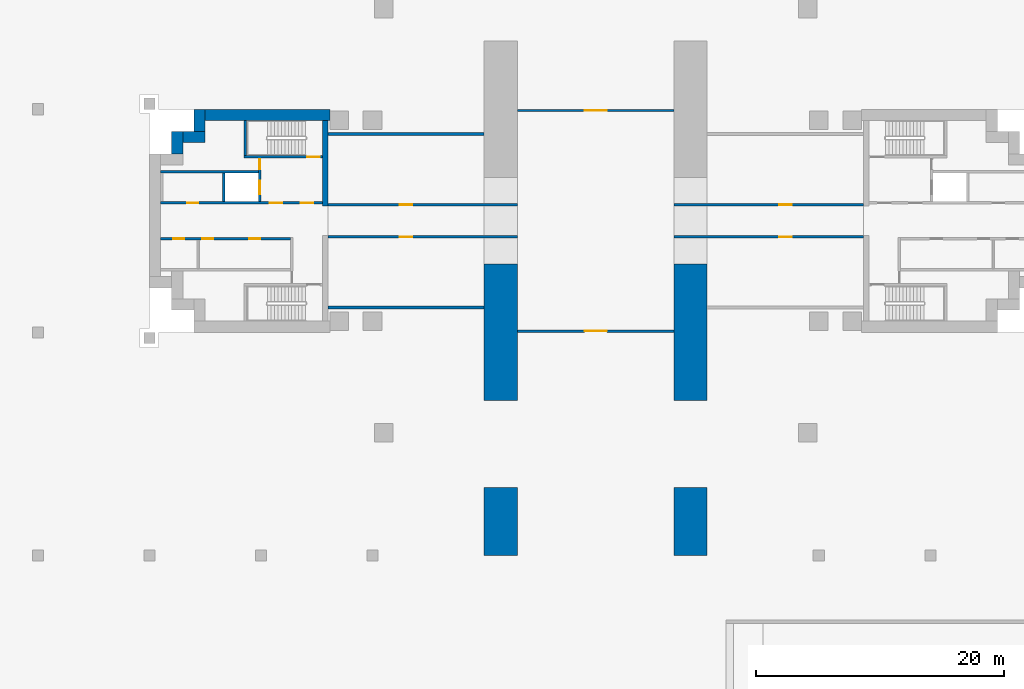
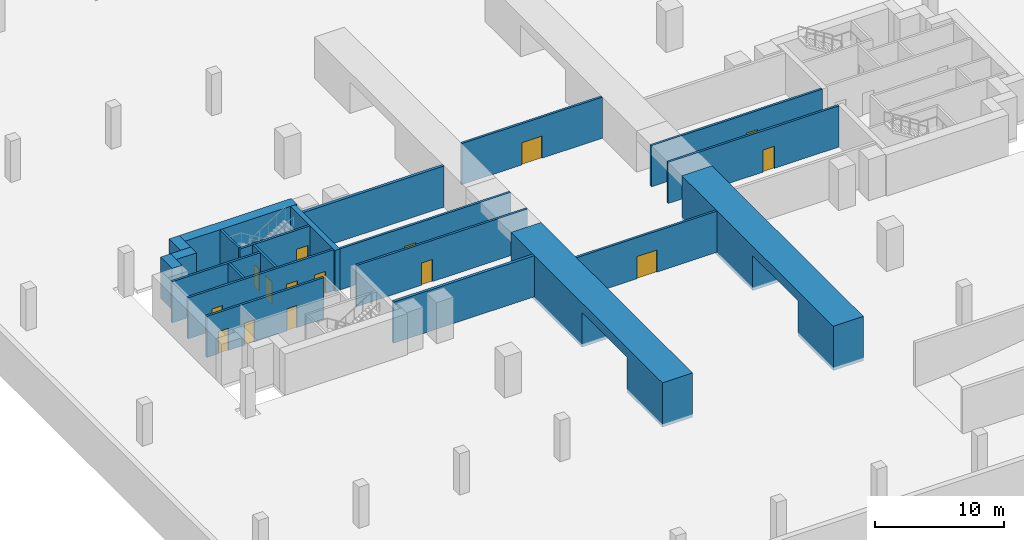
# One storey, part 4 of 8: 22 walls, 15 doors, 15 openings.
"""IFC4 building model written with IfcOpenShell, lengths in metres."""

from ifc_helpers import new_model, si_unit, direction, frame, frame_2d, origin, place, context, subcontext, project, spatial, polyline, rectangle, outline, extrude, material, layer, layer_set, material_profile, profile_set, type_object, element, fill, save


model = new_model("IFC4")

# Units and contexts
model_context = context("Model", 3, precision=1e-05, world=origin(), true_north=direction((0.0, 1.0)))
body_context = subcontext(model_context, "Body", "Model", "MODEL_VIEW")
ifc_project = project(units=[si_unit("LENGTHUNIT", "METRE"), si_unit("AREAUNIT", "SQUARE_METRE"), si_unit("VOLUMEUNIT", "CUBIC_METRE"), si_unit("PLANEANGLEUNIT", "RADIAN"), si_unit("MASSUNIT", "GRAM", prefix="KILO")], contexts=[model_context])

# Site, building, storey
site_placement = place(None, origin())
site = spatial("IfcSite", under=ifc_project, at=site_placement, CompositionType="ELEMENT")
building_placement = place(site_placement, origin())
building = spatial("IfcBuilding", under=site, at=building_placement, Name="Perihelion Cross Residences", CompositionType="ELEMENT")
storey_placement = place(building_placement, frame((0.0, 0.0, -12.89990234375)))
storey = spatial("IfcBuildingStorey", under=building, at=storey_placement, Name="B3", CompositionType="ELEMENT", Elevation=-12.89990234375)

# Walls
ifc_material_1 = material(Name="Concrete C40/50", Category="concrete")
ifc_layer_1 = layer(ifc_material_1, 0.25)
ifc_layer_set_1 = layer_set([ifc_layer_1], Name="Basement enclosure wall 250")
wall_type_1 = type_object("IfcWallType", Name="Basement enclosure wall 250", PredefinedType="SOLIDWALL", material=ifc_layer_set_1)
for number, where, z_axis, x_axis, name in (
    (1, (-9.0, 7.0, 0.0), (0.0, 0.0, 1.0), (-1.0, 0.0, 0.0), "Basement enclosure wall B3 w.encl.n"),
    (2, (-9.0, -7.0, 0.0), (0.0, 0.0, 1.0), (-1.0, 0.0, 0.0), "Basement enclosure wall B3 w.encl.s"),
):
    element("IfcWall", number, at=place(storey_placement, frame(where, z_axis=z_axis, x_axis=x_axis)), inside=storey, type_object=wall_type_1, Name=name, PredefinedType="SOLIDWALL", context=body_context, shape_type="SweptSolid", body=[
        extrude(rectangle(XDim=12.60009765625, YDim=0.25, at=frame_2d((6.300048828125, 0.0))), origin(), (0.0, 0.0, 1.0), 3.89990234375),
    ])
ifc_material_2 = material(Name="Concrete C60/75", Category="concrete")
ifc_layer_2 = layer(ifc_material_2, 0.449951171875)
ifc_layer_set_2 = layer_set([ifc_layer_2], Name="Core wall, inner 450")
wall_type_2 = type_object("IfcWallType", Name="Core wall, inner 450", PredefinedType="SHEAR", material=ifc_layer_set_2)
wall_1_placement = place(storey_placement, frame((-21.824951171875, 1.199951171875, 0.0), z_axis=(0.0, 0.0, 1.0), x_axis=(0.0, 1.0, 0.0)))
element("IfcWall", 3, at=wall_1_placement, inside=storey, type_object=wall_type_2, Name="West core core wall, inner", PredefinedType="SHEAR", context=body_context, shape_type="SweptSolid", body=[
    extrude(rectangle(XDim=6.900146484375, YDim=0.449951171875, at=frame_2d((3.4501953125, 0.0))), origin(), (0.0, 0.0, 1.0), 3.89990234375),
])
ifc_material_3 = material(Name="Concrete C60/75", Category="concrete")
ifc_layer_3 = layer(ifc_material_3, 0.89990234375)
ifc_layer_set_3 = layer_set([ifc_layer_3], Name="Core wall, outer 900")
wall_type_3 = type_object("IfcWallType", Name="Core wall, outer 900", PredefinedType="SHEAR", material=ifc_layer_set_3)
for number, where, z_axis, x_axis, name in (
    (4, (-33.75, 5.39990234375, 0.0), (0.0, 0.0, 1.0), (0.0, 1.0, 0.0), "West core core wall, outer"),
    (5, (-33.300048828125, 6.75, 0.0), (0.0, 0.0, 1.0), (1.0, 0.0, 0.0), "West core core wall, outer"),
    (6, (-31.949951171875, 7.199951171875, 0.0), (0.0, 0.0, 1.0), (0.0, 1.0, 0.0), "West core core wall, outer"),
):
    element("IfcWall", number, at=place(storey_placement, frame(where, z_axis=z_axis, x_axis=x_axis)), inside=storey, type_object=wall_type_3, Name=name, PredefinedType="SHEAR", context=body_context, shape_type="SweptSolid", body=[
        extrude(rectangle(XDim=1.800048828125, YDim=0.89990234375, at=frame_2d((0.89990234375, 0.0))), origin(), (0.0, 0.0, 1.0), 3.89990234375),
    ])
wall_2_placement = place(storey_placement, frame((-31.5, 8.550048828125, 0.0), z_axis=(0.0, 0.0, 1.0), x_axis=(1.0, 0.0, 0.0)))
element("IfcWall", 7, at=wall_2_placement, inside=storey, type_object=wall_type_3, Name="West core core wall, outer", PredefinedType="SHEAR", context=body_context, shape_type="SweptSolid", body=[
    extrude(rectangle(XDim=10.050048828125, YDim=0.89990234375, at=frame_2d((5.02490234375, 0.0))), origin(), (0.0, 0.0, 1.0), 3.89990234375),
])

# Wall, opening, door
ifc_material_4 = material(Name="Concrete block 200", Category="concrete")
ifc_layer_4 = layer(ifc_material_4, 0.199951171875)
ifc_layer_set_4 = layer_set([ifc_layer_4], Name="Parking lobby wall 200")
wall_type_4 = type_object("IfcWallType", Name="Parking lobby wall 200", PredefinedType="PARTITIONING", material=ifc_layer_set_4)
wall_3_placement = place(storey_placement, frame((6.300048828125, 1.300048828125, 0.0), z_axis=(0.0, 0.0, 1.0), x_axis=(1.0, 0.0, 0.0)))
wall_3 = element("IfcWall", 8, at=wall_3_placement, inside=storey, type_object=wall_type_4, Name="Basement partition B3 e.corr.n", PredefinedType="PARTITIONING", context=body_context, shape_type="SweptSolid", body=[
    extrude(rectangle(XDim=15.300048828125, YDim=0.199951171875, at=frame_2d((7.64990234375, 0.0))), origin(), (0.0, 0.0, 1.0), 3.89990234375),
])
opening_1_placement = place(wall_3_placement, frame((8.5, 0.0, 0.0)))
opening_1 = element("IfcOpeningElement", 9, at=opening_1_placement, cuts=wall_3, Name="Opening B3.B01", PredefinedType="OPENING", context=body_context, shape_type="SweptSolid", body=[
    extrude(rectangle(XDim=1.0, YDim=2.10009765625, at=frame_2d((0.5, 1.050048828125))), frame((0.0, 0.10986328125, 0.0), z_axis=(0.0, -1.0, 0.0), x_axis=(1.0, 0.0, 0.0)), (0.0, 0.0, 1.0), 0.219970703125),
])
ifc_material_5 = material(Name="Steel door", Category="steel")
door_type_1 = type_object("IfcDoorType", Name="Basement plant door 1000 x 2100", OperationType="SINGLE_SWING_LEFT", PredefinedType="DOOR", material=ifc_material_5)
door_1_placement = place(opening_1_placement, origin())
door_1 = element("IfcDoor", 10, at=door_1_placement, inside=storey, type_object=door_type_1, Name="Door B3 e.corr.n", OperationType="SINGLE_SWING_LEFT", OverallHeight=2.10009765625, OverallWidth=1.0, PredefinedType="DOOR", context=body_context, shape_type="SweptSolid", body=[
    extrude(rectangle(XDim=1.0, YDim=2.10009765625, at=frame_2d((0.5, 1.050048828125))), frame((0.0, 0.02490234375, 0.0), z_axis=(0.0, -1.0, 0.0), x_axis=(1.0, 0.0, 0.0)), (0.0, 0.0, 1.0), 0.050048828125),
])
fill(opening_1, door_1)

wall_4_placement = place(storey_placement, frame((6.300048828125, -1.300048828125, 0.0), z_axis=(0.0, 0.0, 1.0), x_axis=(1.0, 0.0, 0.0)))
wall_4 = element("IfcWall", 11, at=wall_4_placement, inside=storey, type_object=wall_type_4, Name="Basement partition B3 e.corr.s", PredefinedType="PARTITIONING", context=body_context, shape_type="SweptSolid", body=[
    extrude(rectangle(XDim=15.300048828125, YDim=0.199951171875, at=frame_2d((7.64990234375, 0.0))), origin(), (0.0, 0.0, 1.0), 3.89990234375),
])
opening_2_placement = place(wall_4_placement, frame((8.5, 0.0, 0.0)))
opening_2 = element("IfcOpeningElement", 12, at=opening_2_placement, cuts=wall_4, Name="Opening B3.B02", PredefinedType="OPENING", context=body_context, shape_type="SweptSolid", body=[
    extrude(rectangle(XDim=1.0, YDim=2.10009765625, at=frame_2d((0.5, 1.050048828125))), frame((0.0, 0.10986328125, 0.0), z_axis=(0.0, -1.0, 0.0), x_axis=(1.0, 0.0, 0.0)), (0.0, 0.0, 1.0), 0.219970703125),
])
door_2_placement = place(opening_2_placement, origin())
door_2 = element("IfcDoor", 13, at=door_2_placement, inside=storey, type_object=door_type_1, Name="Door B3 e.corr.s", OperationType="SINGLE_SWING_LEFT", OverallHeight=2.10009765625, OverallWidth=1.0, PredefinedType="DOOR", context=body_context, shape_type="SweptSolid", body=[
    extrude(rectangle(XDim=1.0, YDim=2.10009765625, at=frame_2d((0.5, 1.050048828125))), frame((0.0, 0.02490234375, 0.0), z_axis=(0.0, -1.0, 0.0), x_axis=(1.0, 0.0, 0.0)), (0.0, 0.0, 1.0), 0.050048828125),
])
fill(opening_2, door_2)

wall_5_placement = place(storey_placement, frame((-6.300048828125, 1.300048828125, 0.0), z_axis=(0.0, 0.0, 1.0), x_axis=(-1.0, 0.0, 0.0)))
wall_5 = element("IfcWall", 14, at=wall_5_placement, inside=storey, type_object=wall_type_4, Name="Basement partition B3 w.corr.n", PredefinedType="PARTITIONING", context=body_context, shape_type="SweptSolid", body=[
    extrude(rectangle(XDim=15.300048828125, YDim=0.199951171875, at=frame_2d((7.64990234375, 0.0))), origin(), (0.0, 0.0, 1.0), 3.89990234375),
])
opening_3_placement = place(wall_5_placement, frame((8.5, 0.0, 0.0)))
opening_3 = element("IfcOpeningElement", 15, at=opening_3_placement, cuts=wall_5, Name="Opening B3.B03", PredefinedType="OPENING", context=body_context, shape_type="SweptSolid", body=[
    extrude(rectangle(XDim=1.0, YDim=2.10009765625, at=frame_2d((0.5, 1.050048828125))), frame((0.0, 0.10986328125, 0.0), z_axis=(0.0, -1.0, 0.0), x_axis=(1.0, 0.0, 0.0)), (0.0, 0.0, 1.0), 0.219970703125),
])
door_3_placement = place(opening_3_placement, origin())
door_3 = element("IfcDoor", 16, at=door_3_placement, inside=storey, type_object=door_type_1, Name="Door B3 w.corr.n", OperationType="SINGLE_SWING_LEFT", OverallHeight=2.10009765625, OverallWidth=1.0, PredefinedType="DOOR", context=body_context, shape_type="SweptSolid", body=[
    extrude(rectangle(XDim=1.0, YDim=2.10009765625, at=frame_2d((0.5, 1.050048828125))), frame((0.0, 0.02490234375, 0.0), z_axis=(0.0, -1.0, 0.0), x_axis=(1.0, 0.0, 0.0)), (0.0, 0.0, 1.0), 0.050048828125),
])
fill(opening_3, door_3)

wall_6_placement = place(storey_placement, frame((-6.300048828125, -1.300048828125, 0.0), z_axis=(0.0, 0.0, 1.0), x_axis=(-1.0, 0.0, 0.0)))
wall_6 = element("IfcWall", 17, at=wall_6_placement, inside=storey, type_object=wall_type_4, Name="Basement partition B3 w.corr.s", PredefinedType="PARTITIONING", context=body_context, shape_type="SweptSolid", body=[
    extrude(rectangle(XDim=15.300048828125, YDim=0.199951171875, at=frame_2d((7.64990234375, 0.0))), origin(), (0.0, 0.0, 1.0), 3.89990234375),
])
opening_4_placement = place(wall_6_placement, frame((8.5, 0.0, 0.0)))
opening_4 = element("IfcOpeningElement", 18, at=opening_4_placement, cuts=wall_6, Name="Opening B3.B04", PredefinedType="OPENING", context=body_context, shape_type="SweptSolid", body=[
    extrude(rectangle(XDim=1.0, YDim=2.10009765625, at=frame_2d((0.5, 1.050048828125))), frame((0.0, 0.10986328125, 0.0), z_axis=(0.0, -1.0, 0.0), x_axis=(1.0, 0.0, 0.0)), (0.0, 0.0, 1.0), 0.219970703125),
])
door_4_placement = place(opening_4_placement, origin())
door_4 = element("IfcDoor", 19, at=door_4_placement, inside=storey, type_object=door_type_1, Name="Door B3 w.corr.s", OperationType="SINGLE_SWING_LEFT", OverallHeight=2.10009765625, OverallWidth=1.0, PredefinedType="DOOR", context=body_context, shape_type="SweptSolid", body=[
    extrude(rectangle(XDim=1.0, YDim=2.10009765625, at=frame_2d((0.5, 1.050048828125))), frame((0.0, 0.02490234375, 0.0), z_axis=(0.0, -1.0, 0.0), x_axis=(1.0, 0.0, 0.0)), (0.0, 0.0, 1.0), 0.050048828125),
])
fill(opening_4, door_4)

wall_7_placement = place(storey_placement, frame((-6.300048828125, 8.89990234375, 0.0), z_axis=(0.0, 0.0, 1.0), x_axis=(1.0, 0.0, 0.0)))
wall_7 = element("IfcWall", 20, at=wall_7_placement, inside=storey, type_object=wall_type_4, Name="Basement partition B3 hub.n", PredefinedType="PARTITIONING", context=body_context, shape_type="SweptSolid", body=[
    extrude(rectangle(XDim=12.60009765625, YDim=0.199951171875, at=frame_2d((6.300048828125, 0.0))), origin(), (0.0, 0.0, 1.0), 3.89990234375),
])
opening_5_placement = place(wall_7_placement, frame((5.39990234375, 0.0, 0.0)))
opening_5 = element("IfcOpeningElement", 21, at=opening_5_placement, cuts=wall_7, Name="Opening B3.B05", PredefinedType="OPENING", context=body_context, shape_type="SweptSolid", body=[
    extrude(rectangle(XDim=1.800048828125, YDim=2.10009765625, at=frame_2d((0.89990234375, 1.050048828125))), frame((0.0, 0.10986328125, 0.0), z_axis=(0.0, -1.0, 0.0), x_axis=(1.0, 0.0, 0.0)), (0.0, 0.0, 1.0), 0.219970703125),
])
ifc_material_6 = material(Name="Steel door", Category="steel")
door_type_2 = type_object("IfcDoorType", Name="Lobby door 1800 x 2100", OperationType="DOUBLE_DOOR_SINGLE_SWING", PredefinedType="DOOR", material=ifc_material_6)
door_5_placement = place(opening_5_placement, origin())
door_5 = element("IfcDoor", 22, at=door_5_placement, inside=storey, type_object=door_type_2, Name="Door B3 hub.n", OperationType="SINGLE_SWING_LEFT", OverallHeight=2.10009765625, OverallWidth=1.800048828125, PredefinedType="DOOR", context=body_context, shape_type="SweptSolid", body=[
    extrude(rectangle(XDim=1.800048828125, YDim=2.10009765625, at=frame_2d((0.89990234375, 1.050048828125))), frame((0.0, 0.02490234375, 0.0), z_axis=(0.0, -1.0, 0.0), x_axis=(1.0, 0.0, 0.0)), (0.0, 0.0, 1.0), 0.050048828125),
])
fill(opening_5, door_5)

wall_8_placement = place(storey_placement, frame((-6.300048828125, -8.89990234375, 0.0), z_axis=(0.0, 0.0, 1.0), x_axis=(1.0, 0.0, 0.0)))
wall_8 = element("IfcWall", 23, at=wall_8_placement, inside=storey, type_object=wall_type_4, Name="Basement partition B3 hub.s", PredefinedType="PARTITIONING", context=body_context, shape_type="SweptSolid", body=[
    extrude(rectangle(XDim=12.60009765625, YDim=0.199951171875, at=frame_2d((6.300048828125, 0.0))), origin(), (0.0, 0.0, 1.0), 3.89990234375),
])
opening_6_placement = place(wall_8_placement, frame((5.39990234375, 0.0, 0.0)))
opening_6 = element("IfcOpeningElement", 24, at=opening_6_placement, cuts=wall_8, Name="Opening B3.B06", PredefinedType="OPENING", context=body_context, shape_type="SweptSolid", body=[
    extrude(rectangle(XDim=1.800048828125, YDim=2.10009765625, at=frame_2d((0.89990234375, 1.050048828125))), frame((0.0, 0.10986328125, 0.0), z_axis=(0.0, -1.0, 0.0), x_axis=(1.0, 0.0, 0.0)), (0.0, 0.0, 1.0), 0.219970703125),
])
door_6_placement = place(opening_6_placement, origin())
door_6 = element("IfcDoor", 25, at=door_6_placement, inside=storey, type_object=door_type_2, Name="Door B3 hub.s", OperationType="SINGLE_SWING_LEFT", OverallHeight=2.10009765625, OverallWidth=1.800048828125, PredefinedType="DOOR", context=body_context, shape_type="SweptSolid", body=[
    extrude(rectangle(XDim=1.800048828125, YDim=2.10009765625, at=frame_2d((0.89990234375, 1.050048828125))), frame((0.0, 0.02490234375, 0.0), z_axis=(0.0, -1.0, 0.0), x_axis=(1.0, 0.0, 0.0)), (0.0, 0.0, 1.0), 0.050048828125),
])
fill(opening_6, door_6)

# Walls
ifc_material_7 = material(Name="Concrete C60/75", Category="concrete")
ifc_material_profile_1 = material_profile(ifc_material_7, outline(polyline([(0.0, 0.0), (5.5, 0.0), (5.5, 3.300048828125), (12.5, 3.300048828125), (12.5, 0.0), (23.5, 0.0), (23.5, 4.199951171875), (0.0, 4.199951171875), (0.0, 0.0)])), Name="Pier wall")
ifc_profile_set_1 = profile_set([ifc_material_profile_1], Name="Concrete C60/75")
wall_type_5 = type_object("IfcWallType", Name="Pier wall 2700 with 1 lane openings 23500 long 4200 high concrete C60/75", PredefinedType="SOLIDWALL", material=ifc_profile_set_1)
wall_9_placement = place(storey_placement, frame((6.300048828125, -27.0, -0.300048828125), z_axis=(1.0, 0.0, 0.0), x_axis=(0.0, 1.0, 0.0)))
element("IfcWall", 26, at=wall_9_placement, inside=storey, type_object=wall_type_5, Name="Shear wall SW5 B3 pier east south", PredefinedType="SOLIDWALL", context=body_context, shape_type="SweptSolid", body=[
    extrude(outline(polyline([(0.0, 0.0), (5.5, 0.0), (5.5, 3.300048828125), (12.5, 3.300048828125), (12.5, 0.0), (23.5, 0.0), (23.5, 4.199951171875), (0.0, 4.199951171875), (0.0, 0.0)])), origin(), (0.0, 0.0, 1.0), 2.699951171875),
])
ifc_material_8 = material(Name="Concrete C60/75", Category="concrete")
ifc_material_profile_2 = material_profile(ifc_material_8, outline(polyline([(0.0, 0.0), (5.5, 0.0), (5.5, 3.300048828125), (12.5, 3.300048828125), (12.5, 0.0), (23.5, 0.0), (23.5, 4.199951171875), (0.0, 4.199951171875), (0.0, 0.0)])), Name="Pier wall")
ifc_profile_set_2 = profile_set([ifc_material_profile_2], Name="Concrete C60/75")
wall_type_6 = type_object("IfcWallType", Name="Pier wall 2700 with 1 lane openings 23500 long 4200 high concrete C60/75 hand A", PredefinedType="SOLIDWALL", material=ifc_profile_set_2)
wall_10_placement = place(storey_placement, frame((-9.0, -27.0, -0.300048828125), z_axis=(1.0, 0.0, 0.0), x_axis=(0.0, 1.0, 0.0)))
element("IfcWall", 27, at=wall_10_placement, inside=storey, type_object=wall_type_6, Name="Shear wall SW7 B3 pier west south", PredefinedType="SOLIDWALL", context=body_context, shape_type="SweptSolid", body=[
    extrude(outline(polyline([(0.0, 0.0), (5.5, 0.0), (5.5, 3.300048828125), (12.5, 3.300048828125), (12.5, 0.0), (23.5, 0.0), (23.5, 4.199951171875), (0.0, 4.199951171875), (0.0, 0.0)])), origin(), (0.0, 0.0, 1.0), 2.699951171875),
])

# Wall, openings, doors
ifc_material_9 = material(Name="Concrete C50/60", Category="concrete")
ifc_layer_5 = layer(ifc_material_9, 0.199951171875)
ifc_layer_set_5 = layer_set([ifc_layer_5], Name="Shaft wall 200")
wall_type_7 = type_object("IfcWallType", Name="Shaft wall 200", PredefinedType="SOLIDWALL", material=ifc_layer_set_5)
wall_11_placement = place(storey_placement, frame((-35.10009765625, 1.449951171875, 0.0), z_axis=(0.0, 0.0, 1.0), x_axis=(1.0, 0.0, 0.0)))
wall_11 = element("IfcWall", 28, at=wall_11_placement, inside=storey, type_object=wall_type_7, Name="West core shaft wall", PredefinedType="SOLIDWALL", context=body_context, shape_type="SweptSolid", body=[
    extrude(rectangle(XDim=13.050048828125, YDim=0.199951171875, at=frame_2d((6.52490234375, 0.0))), origin(), (0.0, 0.0, 1.0), 3.89990234375),
])
opening_7_placement = place(wall_11_placement, frame((11.300048828125, 0.0, 0.0)))
opening_7 = element("IfcOpeningElement", 29, at=opening_7_placement, cuts=wall_11, Name="Opening B3.C15", PredefinedType="OPENING", context=body_context, shape_type="SweptSolid", body=[
    extrude(rectangle(XDim=1.0, YDim=2.10009765625, at=frame_2d((0.5, 1.050048828125))), frame((0.0, 0.10986328125, 0.0), z_axis=(0.0, -1.0, 0.0), x_axis=(1.0, 0.0, 0.0)), (0.0, 0.0, 1.0), 0.219970703125),
])
opening_8_placement = place(wall_11_placement, frame((8.800048828125, 0.0, 0.0)))
opening_8 = element("IfcOpeningElement", 30, at=opening_8_placement, cuts=wall_11, Name="Opening B3.C17", PredefinedType="OPENING", context=body_context, shape_type="SweptSolid", body=[
    extrude(rectangle(XDim=1.0, YDim=2.10009765625, at=frame_2d((0.5, 1.050048828125))), frame((0.0, 0.10986328125, 0.0), z_axis=(0.0, -1.0, 0.0), x_axis=(1.0, 0.0, 0.0)), (0.0, 0.0, 1.0), 0.219970703125),
])
opening_9_placement = place(wall_11_placement, frame((2.14990234375, 0.0, 0.0)))
opening_9 = element("IfcOpeningElement", 31, at=opening_9_placement, cuts=wall_11, Name="Opening B3.C21", PredefinedType="OPENING", context=body_context, shape_type="SweptSolid", body=[
    extrude(rectangle(XDim=0.89990234375, YDim=2.10009765625, at=frame_2d((0.449951171875, 1.050048828125))), frame((0.0, 0.10986328125, 0.0), z_axis=(0.0, -1.0, 0.0), x_axis=(1.0, 0.0, 0.0)), (0.0, 0.0, 1.0), 0.219970703125),
])
ifc_material_10 = material(Name="Steel, powder coated", Category="steel")
door_type_3 = type_object("IfcDoorType", Name="Lobby door 1000", OperationType="SINGLE_SWING_LEFT", PredefinedType="DOOR", material=ifc_material_10)
door_7_placement = place(opening_7_placement, origin())
door_7 = element("IfcDoor", 32, at=door_7_placement, inside=storey, type_object=door_type_3, Name="West core firefighting lobby door", OperationType="SINGLE_SWING_LEFT", OverallHeight=2.10009765625, OverallWidth=1.0, PredefinedType="DOOR", context=body_context, shape_type="SweptSolid", body=[
    extrude(rectangle(XDim=1.0, YDim=2.10009765625, at=frame_2d((0.5, 1.050048828125))), frame((0.0, 0.02490234375, 0.0), z_axis=(0.0, -1.0, 0.0), x_axis=(1.0, 0.0, 0.0)), (0.0, 0.0, 1.0), 0.050048828125),
])
fill(opening_7, door_7)
door_8_placement = place(opening_8_placement, origin())
door_8 = element("IfcDoor", 33, at=door_8_placement, inside=storey, type_object=door_type_3, Name="West core firefighting lobby door", OperationType="SINGLE_SWING_LEFT", OverallHeight=2.10009765625, OverallWidth=1.0, PredefinedType="DOOR", context=body_context, shape_type="SweptSolid", body=[
    extrude(rectangle(XDim=1.0, YDim=2.10009765625, at=frame_2d((0.5, 1.050048828125))), frame((0.0, 0.02490234375, 0.0), z_axis=(0.0, -1.0, 0.0), x_axis=(1.0, 0.0, 0.0)), (0.0, 0.0, 1.0), 0.050048828125),
])
fill(opening_8, door_8)
ifc_material_11 = material(Name="Steel, powder coated", Category="steel")
door_type_4 = type_object("IfcDoorType", Name="Service room door 900", OperationType="SINGLE_SWING_LEFT", PredefinedType="DOOR", material=ifc_material_11)
door_9_placement = place(opening_9_placement, origin())
door_9 = element("IfcDoor", 34, at=door_9_placement, inside=storey, type_object=door_type_4, Name="West core service room door", OperationType="SINGLE_SWING_LEFT", OverallHeight=2.10009765625, OverallWidth=0.89990234375, PredefinedType="DOOR", context=body_context, shape_type="SweptSolid", body=[
    extrude(rectangle(XDim=0.89990234375, YDim=2.10009765625, at=frame_2d((0.449951171875, 1.050048828125))), frame((0.0, 0.02490234375, 0.0), z_axis=(0.0, -1.0, 0.0), x_axis=(1.0, 0.0, 0.0)), (0.0, 0.0, 1.0), 0.050048828125),
])
fill(opening_9, door_9)

wall_12_placement = place(storey_placement, frame((-35.10009765625, -1.449951171875, 0.0), z_axis=(0.0, 0.0, 1.0), x_axis=(1.0, 0.0, 0.0)))
wall_12 = element("IfcWall", 35, at=wall_12_placement, inside=storey, type_object=wall_type_7, Name="West core shaft wall", PredefinedType="SOLIDWALL", context=body_context, shape_type="SweptSolid", body=[
    extrude(rectangle(XDim=10.5, YDim=0.199951171875, at=frame_2d((5.25, 0.0))), origin(), (0.0, 0.0, 1.0), 3.89990234375),
])
opening_10_placement = place(wall_12_placement, frame((7.14990234375, 0.0, 0.0)))
opening_10 = element("IfcOpeningElement", 36, at=opening_10_placement, cuts=wall_12, Name="Opening B3.C19", PredefinedType="OPENING", context=body_context, shape_type="SweptSolid", body=[
    extrude(rectangle(XDim=0.89990234375, YDim=2.10009765625, at=frame_2d((0.449951171875, 1.050048828125))), frame((0.0, 0.10986328125, 0.0), z_axis=(0.0, -1.0, 0.0), x_axis=(1.0, 0.0, 0.0)), (0.0, 0.0, 1.0), 0.219970703125),
])
opening_11_placement = place(wall_12_placement, frame((3.35009765625, 0.0, 0.0)))
opening_11 = element("IfcOpeningElement", 37, at=opening_11_placement, cuts=wall_12, Name="Opening B3.C20", PredefinedType="OPENING", context=body_context, shape_type="SweptSolid", body=[
    extrude(rectangle(XDim=0.89990234375, YDim=2.10009765625, at=frame_2d((0.449951171875, 1.050048828125))), frame((0.0, 0.10986328125, 0.0), z_axis=(0.0, -1.0, 0.0), x_axis=(1.0, 0.0, 0.0)), (0.0, 0.0, 1.0), 0.219970703125),
])
opening_12_placement = place(wall_12_placement, frame((1.02490234375, 0.0, 0.0)))
opening_12 = element("IfcOpeningElement", 38, at=opening_12_placement, cuts=wall_12, Name="Opening B3.C22", PredefinedType="OPENING", context=body_context, shape_type="SweptSolid", body=[
    extrude(rectangle(XDim=0.89990234375, YDim=2.10009765625, at=frame_2d((0.449951171875, 1.050048828125))), frame((0.0, 0.10986328125, 0.0), z_axis=(0.0, -1.0, 0.0), x_axis=(1.0, 0.0, 0.0)), (0.0, 0.0, 1.0), 0.219970703125),
])
door_10_placement = place(opening_10_placement, origin())
door_10 = element("IfcDoor", 39, at=door_10_placement, inside=storey, type_object=door_type_4, Name="West core service room door", OperationType="SINGLE_SWING_LEFT", OverallHeight=2.10009765625, OverallWidth=0.89990234375, PredefinedType="DOOR", context=body_context, shape_type="SweptSolid", body=[
    extrude(rectangle(XDim=0.89990234375, YDim=2.10009765625, at=frame_2d((0.449951171875, 1.050048828125))), frame((0.0, 0.02490234375, 0.0), z_axis=(0.0, -1.0, 0.0), x_axis=(1.0, 0.0, 0.0)), (0.0, 0.0, 1.0), 0.050048828125),
])
fill(opening_10, door_10)
door_11_placement = place(opening_11_placement, origin())
door_11 = element("IfcDoor", 40, at=door_11_placement, inside=storey, type_object=door_type_4, Name="West core service room door", OperationType="SINGLE_SWING_LEFT", OverallHeight=2.10009765625, OverallWidth=0.89990234375, PredefinedType="DOOR", context=body_context, shape_type="SweptSolid", body=[
    extrude(rectangle(XDim=0.89990234375, YDim=2.10009765625, at=frame_2d((0.449951171875, 1.050048828125))), frame((0.0, 0.02490234375, 0.0), z_axis=(0.0, -1.0, 0.0), x_axis=(1.0, 0.0, 0.0)), (0.0, 0.0, 1.0), 0.050048828125),
])
fill(opening_11, door_11)
door_12_placement = place(opening_12_placement, origin())
door_12 = element("IfcDoor", 41, at=door_12_placement, inside=storey, type_object=door_type_4, Name="West core service room door", OperationType="SINGLE_SWING_LEFT", OverallHeight=2.10009765625, OverallWidth=0.89990234375, PredefinedType="DOOR", context=body_context, shape_type="SweptSolid", body=[
    extrude(rectangle(XDim=0.89990234375, YDim=2.10009765625, at=frame_2d((0.449951171875, 1.050048828125))), frame((0.0, 0.02490234375, 0.0), z_axis=(0.0, -1.0, 0.0), x_axis=(1.0, 0.0, 0.0)), (0.0, 0.0, 1.0), 0.050048828125),
])
fill(opening_12, door_12)

# Wall
wall_13_placement = place(storey_placement, frame((-35.10009765625, 3.949951171875, 0.0), z_axis=(0.0, 0.0, 1.0), x_axis=(1.0, 0.0, 0.0)))
element("IfcWall", 42, at=wall_13_placement, inside=storey, type_object=wall_type_7, Name="West core shaft wall", PredefinedType="SOLIDWALL", context=body_context, shape_type="SweptSolid", body=[
    extrude(rectangle(XDim=7.900146484375, YDim=0.199951171875, at=frame_2d((3.9501953125, 0.0))), origin(), (0.0, 0.0, 1.0), 3.89990234375),
])

# Wall, openings, doors
wall_14_placement = place(storey_placement, frame((-27.10009765625, 1.550048828125, 0.0), z_axis=(0.0, 0.0, 1.0), x_axis=(0.0, 1.0, 0.0)))
wall_14 = element("IfcWall", 43, at=wall_14_placement, inside=storey, type_object=wall_type_7, Name="West core shaft wall", PredefinedType="SOLIDWALL", context=body_context, shape_type="SweptSolid", body=[
    extrude(rectangle(XDim=3.5, YDim=0.199951171875, at=frame_2d((1.75, 0.0))), origin(), (0.0, 0.0, 1.0), 3.89990234375),
])
opening_13_placement = place(wall_14_placement, frame((0.60009765625, 0.0, 0.0)))
opening_13 = element("IfcOpeningElement", 44, at=opening_13_placement, cuts=wall_14, Name="Opening B3.C12", PredefinedType="OPENING", context=body_context, shape_type="SweptSolid", body=[
    extrude(rectangle(XDim=1.10009765625, YDim=2.10009765625, at=frame_2d((0.550048828125, 1.050048828125))), frame((0.0, 0.10986328125, 0.0), z_axis=(0.0, -1.0, 0.0), x_axis=(1.0, 0.0, 0.0)), (0.0, 0.0, 1.0), 0.219970703125),
])
opening_14_placement = place(wall_14_placement, frame((2.60009765625, 0.0, 0.0)))
opening_14 = element("IfcOpeningElement", 45, at=opening_14_placement, cuts=wall_14, Name="Opening B3.C18", PredefinedType="OPENING", context=body_context, shape_type="SweptSolid", body=[
    extrude(rectangle(XDim=0.800048828125, YDim=2.10009765625, at=frame_2d((0.39990234375, 1.050048828125))), frame((0.0, 0.10986328125, 0.0), z_axis=(0.0, -1.0, 0.0), x_axis=(1.0, 0.0, 0.0)), (0.0, 0.0, 1.0), 0.219970703125),
])
ifc_material_12 = material(Name="Stainless steel", Category="steel")
door_type_5 = type_object("IfcDoorType", Name="Landing door, firefighting lift 1100", OperationType="DOUBLE_DOOR_SLIDING", PredefinedType="DOOR", material=ifc_material_12)
door_13_placement = place(opening_13_placement, origin())
door_13 = element("IfcDoor", 46, at=door_13_placement, inside=storey, type_object=door_type_5, Name="Landing door, West core firefighting and service lift", OperationType="DOUBLE_DOOR_SLIDING", OverallHeight=2.10009765625, OverallWidth=1.10009765625, PredefinedType="DOOR", context=body_context, shape_type="SweptSolid", body=[
    extrude(rectangle(XDim=1.10009765625, YDim=2.10009765625, at=frame_2d((0.550048828125, 1.050048828125))), frame((0.0, 0.02490234375, 0.0), z_axis=(0.0, -1.0, 0.0), x_axis=(1.0, 0.0, 0.0)), (0.0, 0.0, 1.0), 0.050048828125),
])
fill(opening_13, door_13)
ifc_material_13 = material(Name="Steel, powder coated", Category="steel")
door_type_6 = type_object("IfcDoorType", Name="Riser door 800", OperationType="SINGLE_SWING_LEFT", PredefinedType="DOOR", material=ifc_material_13)
door_14_placement = place(opening_14_placement, origin())
door_14 = element("IfcDoor", 47, at=door_14_placement, inside=storey, type_object=door_type_6, Name="West core riser door", OperationType="SINGLE_SWING_LEFT", OverallHeight=2.10009765625, OverallWidth=0.800048828125, PredefinedType="DOOR", context=body_context, shape_type="SweptSolid", body=[
    extrude(rectangle(XDim=0.800048828125, YDim=2.10009765625, at=frame_2d((0.39990234375, 1.050048828125))), frame((0.0, 0.02490234375, 0.0), z_axis=(0.0, -1.0, 0.0), x_axis=(1.0, 0.0, 0.0)), (0.0, 0.0, 1.0), 0.050048828125),
])
fill(opening_14, door_14)

# Wall
wall_15_placement = place(storey_placement, frame((-30.0, 1.550048828125, 0.0), z_axis=(0.0, 0.0, 1.0), x_axis=(0.0, 1.0, 0.0)))
element("IfcWall", 48, at=wall_15_placement, inside=storey, type_object=wall_type_7, Name="West core shaft wall", PredefinedType="SOLIDWALL", context=body_context, shape_type="SweptSolid", body=[
    extrude(rectangle(XDim=2.300048828125, YDim=0.199951171875, at=frame_2d((1.14990234375, 0.0))), origin(), (0.0, 0.0, 1.0), 3.89990234375),
])

# Wall, opening, door
ifc_material_14 = material(Name="Concrete C50/60", Category="concrete")
ifc_layer_6 = layer(ifc_material_14, 0.199951171875)
ifc_layer_set_6 = layer_set([ifc_layer_6], Name="Stair wall 200")
wall_type_8 = type_object("IfcWallType", Name="Stair wall 200", PredefinedType="SOLIDWALL", material=ifc_layer_set_6)
wall_16_placement = place(storey_placement, frame((-28.35009765625, 5.14990234375, 0.0), z_axis=(0.0, 0.0, 1.0), x_axis=(1.0, 0.0, 0.0)))
wall_16 = element("IfcWall", 49, at=wall_16_placement, inside=storey, type_object=wall_type_8, Name="West core stair wall", PredefinedType="SOLIDWALL", context=body_context, shape_type="SweptSolid", body=[
    extrude(rectangle(XDim=6.300048828125, YDim=0.199951171875, at=frame_2d((3.14990234375, 0.0))), origin(), (0.0, 0.0, 1.0), 3.89990234375),
])
opening_15_placement = place(wall_16_placement, frame((5.10009765625, 0.0, 0.0)))
opening_15 = element("IfcOpeningElement", 50, at=opening_15_placement, cuts=wall_16, Name="Opening B3.C14", PredefinedType="OPENING", context=body_context, shape_type="SweptSolid", body=[
    extrude(rectangle(XDim=1.0, YDim=2.10009765625, at=frame_2d((0.5, 1.050048828125))), frame((0.0, 0.10986328125, 0.0), z_axis=(0.0, -1.0, 0.0), x_axis=(1.0, 0.0, 0.0)), (0.0, 0.0, 1.0), 0.219970703125),
])
ifc_material_15 = material(Name="Steel, powder coated", Category="steel")
door_type_7 = type_object("IfcDoorType", Name="Stair door 1000", OperationType="SINGLE_SWING_LEFT", PredefinedType="DOOR", material=ifc_material_15)
door_15_placement = place(opening_15_placement, origin())
door_15 = element("IfcDoor", 51, at=door_15_placement, inside=storey, type_object=door_type_7, Name="West core stair door", OperationType="SINGLE_SWING_LEFT", OverallHeight=2.10009765625, OverallWidth=1.0, PredefinedType="DOOR", context=body_context, shape_type="SweptSolid", body=[
    extrude(rectangle(XDim=1.0, YDim=2.10009765625, at=frame_2d((0.5, 1.050048828125))), frame((0.0, 0.02490234375, 0.0), z_axis=(0.0, -1.0, 0.0), x_axis=(1.0, 0.0, 0.0)), (0.0, 0.0, 1.0), 0.050048828125),
])
fill(opening_15, door_15)

# Wall
wall_17_placement = place(storey_placement, frame((-28.25, 5.25, 0.0), z_axis=(0.0, 0.0, 1.0), x_axis=(0.0, 1.0, 0.0)))
element("IfcWall", 52, at=wall_17_placement, inside=storey, type_object=wall_type_8, Name="West core stair wall", PredefinedType="SOLIDWALL", context=body_context, shape_type="SweptSolid", body=[
    extrude(rectangle(XDim=2.85009765625, YDim=0.199951171875, at=frame_2d((1.425048828125, 0.0))), origin(), (0.0, 0.0, 1.0), 3.89990234375),
])

save(model, "model.ifc")
